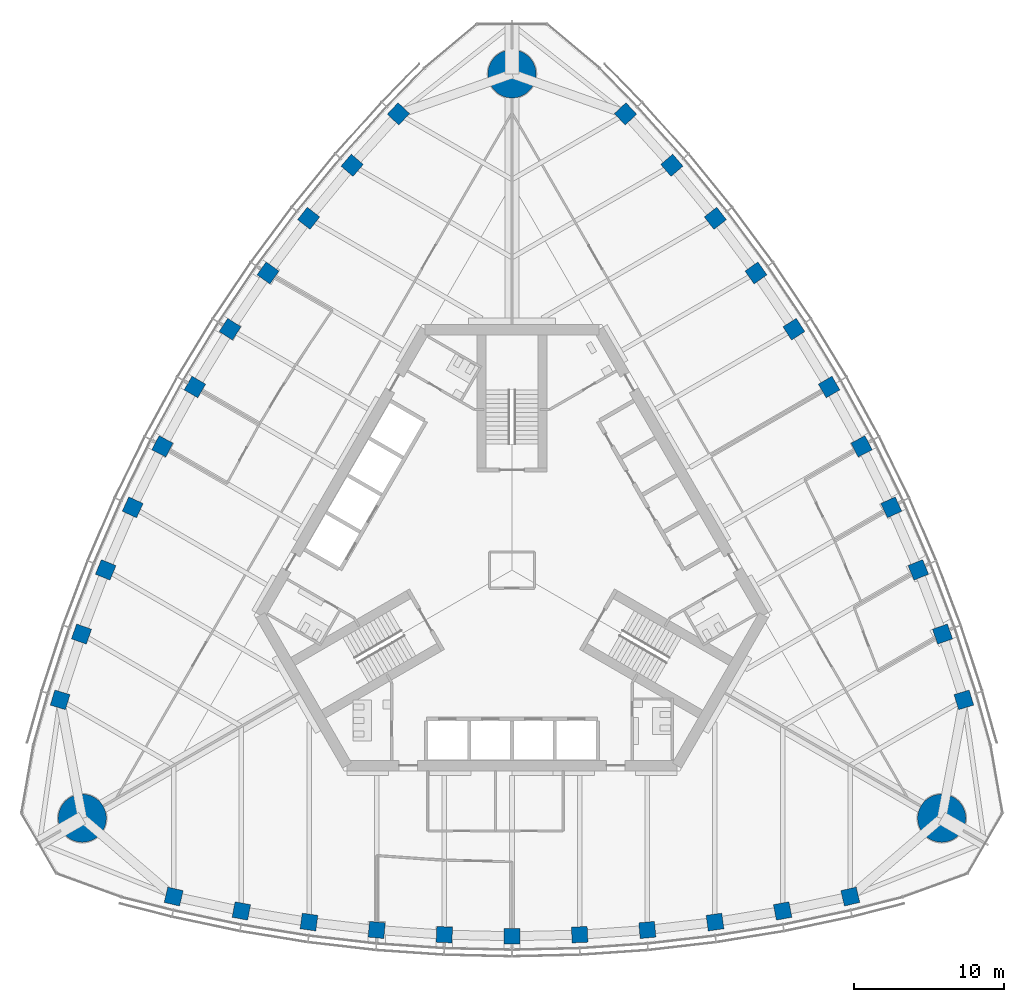
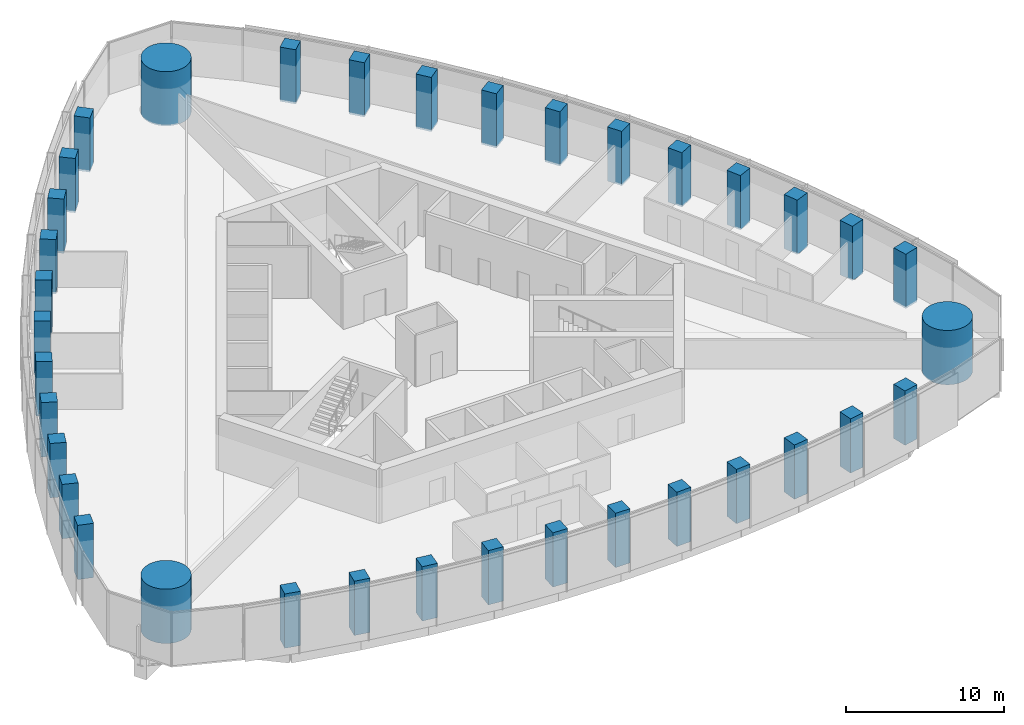
# One storey, part 1 of 19: 36 columns.
"""IFC4 building model written with IfcOpenShell, lengths in metres."""

from ifc_helpers import new_model, si_unit, direction, frame, origin, origin_2d, place, context, subcontext, project, spatial, rectangle, circle, extrude, material, material_profile, profile_set, type_object, element, save


model = new_model("IFC4")

# Units and contexts
model_context = context("Model", 3, precision=1e-05, world=origin(), true_north=direction((0.0, 1.0)))
body_context = subcontext(model_context, "Body", "Model", "MODEL_VIEW")
ifc_project = project(units=[si_unit("LENGTHUNIT", "METRE"), si_unit("AREAUNIT", "SQUARE_METRE"), si_unit("VOLUMEUNIT", "CUBIC_METRE"), si_unit("PLANEANGLEUNIT", "RADIAN"), si_unit("MASSUNIT", "GRAM", prefix="KILO")], contexts=[model_context])

# Site, building, storey
site_placement = place(None, origin())
site = spatial("IfcSite", under=ifc_project, at=site_placement, CompositionType="ELEMENT")
building_placement = place(site_placement, origin())
building = spatial("IfcBuilding", under=site, at=building_placement, Name="Trefoil Bronze Tower", CompositionType="ELEMENT")
storey_placement = place(building_placement, frame((0.0, 0.0, 240.10009765625)))
storey = spatial("IfcBuildingStorey", under=building, at=storey_placement, Name="L55", CompositionType="ELEMENT", Elevation=240.10009765625)

# Columns
ifc_material_1 = material(Name="Concrete B80", Category="concrete")
ifc_material_profile_1 = material_profile(ifc_material_1, circle(Radius=1.60009765625, at=origin_2d()), Name="RC D3200")
ifc_profile_set_1 = profile_set([ifc_material_profile_1], Name="Concrete B80")
column_type_1 = type_object("IfcColumnType", Name="Mega column RC D3200", PredefinedType="COLUMN", material=ifc_profile_set_1)
for number, where, z_axis, x_axis, name in (
    (1, (28.578857421875, -16.5, 0.0), (0.0, 0.0, 1.0), (1.0, 0.0, 0.0), "Mega column K1 L55"),
    (2, (0.0, 33.0, 0.0), (0.0, 0.0, 1.0), (1.0, 0.0, 0.0), "Mega column K2 L55"),
    (3, (-28.578857421875, -16.5, 0.0), (0.0, 0.0, 1.0), (1.0, 0.0, 0.0), "Mega column K3 L55"),
):
    element("IfcColumn", number, at=place(storey_placement, frame(where, z_axis=z_axis, x_axis=x_axis)), inside=storey, type_object=column_type_1, Name=name, PredefinedType="COLUMN", context=body_context, shape_type="SweptSolid", body=[
        extrude(circle(Radius=1.60009765625, at=origin_2d()), origin(), (0.0, 0.0, 1.0), 4.199951171875),
    ])
ifc_material_2 = material(Name="Concrete B80", Category="concrete")
ifc_material_profile_2 = material_profile(ifc_material_2, rectangle(XDim=1.050048828125, YDim=1.050048828125, at=origin_2d()), Name="RC 1050x1050")
ifc_profile_set_2 = profile_set([ifc_material_profile_2], Name="Concrete B80")
column_type_2 = type_object("IfcColumnType", Name="Tube column RC 1050x1050", PredefinedType="COLUMN", material=ifc_profile_set_2)
for number, where, z_axis, x_axis, name in (
    (4, (-22.5, -21.71044921875, 0.0), (0.0, 0.0, 1.0), (0.973875487093, -0.227082662569, 0.0), "Tube column F1/-5 L55"),
    (5, (-18.0, -22.6689453125, 0.0), (0.0, 0.0, 1.0), (0.982958917767, -0.183825368167, 0.0), "Tube column F1/-4 L55"),
    (6, (-13.5, -23.408447265625, 0.0), (0.0, 0.0, 1.0), (0.990450627582, -0.137867887204, 0.0), "Tube column F1/-3 L55"),
    (7, (-9.0, -23.932861328125, 0.0), (0.0, 0.0, 1.0), (0.995767189263, -0.091911396394, 0.0), "Tube column F1/-2 L55"),
    (8, (-4.5, -24.246337890625, 0.0), (0.0, 0.0, 1.0), (0.998943485952, -0.045955542372, 0.0), "Tube column F1/-1 L55"),
    (9, (0.0, -24.3505859375, 0.0), (0.0, 0.0, 1.0), (1.0, 0.0, 0.0), "Tube column F1/+0 L55"),
    (10, (4.5, -24.246337890625, 0.0), (0.0, 0.0, 1.0), (0.998943485952, 0.045955542372, 0.0), "Tube column F1/+1 L55"),
    (11, (9.0, -23.932861328125, 0.0), (0.0, 0.0, 1.0), (0.995767189263, 0.091911396394, 0.0), "Tube column F1/+2 L55"),
    (12, (13.5, -23.408447265625, 0.0), (0.0, 0.0, 1.0), (0.990450627582, 0.137867887204, 0.0), "Tube column F1/+3 L55"),
    (13, (18.0, -22.6689453125, 0.0), (0.0, 0.0, 1.0), (0.982958917767, 0.183825368167, 0.0), "Tube column F1/+4 L55"),
    (14, (22.5, -21.71044921875, 0.0), (0.0, 0.0, 1.0), (0.973875487093, 0.227082662569, 0.0), "Tube column F1/+5 L55"),
    (15, (30.052001953125, -8.63037109375, 0.0), (0.0, 0.0, 1.0), (-0.290278389002, 0.95694224323, 0.0), "Tube column F2/-5 L55"),
    (16, (28.632080078125, -4.25390625, 0.0), (0.0, 0.0, 1.0), (-0.332282020191, 0.943180077746, 0.0), "Tube column F2/-4 L55"),
    (17, (27.022216796875, 0.012939453125, 0.0), (0.0, 0.0, 1.0), (-0.375828221106, 0.926689348282, 0.0), "Tube column F2/-3 L55"),
    (18, (25.2265625, 4.17236328125, 0.0), (0.0, 0.0, 1.0), (-0.418285990457, 0.908315380354, 0.0), "Tube column F2/-2 L55"),
    (19, (23.248046875, 8.22607421875, 0.0), (0.0, 0.0, 1.0), (-0.459673075837, 0.888088206965, 0.0), "Tube column F2/-1 L55"),
    (20, (21.08837890625, 12.17529296875, 0.0), (0.0, 0.0, 1.0), (-0.5, 0.866025403784, 0.0), "Tube column F2/+0 L55"),
    (21, (18.748046875, 16.020263671875, 0.0), (0.0, 0.0, 1.0), (-0.539270410114, 0.842132664593, 0.0), "Tube column F2/+1 L55"),
    (22, (16.2265625, 19.7607421875, 0.0), (0.0, 0.0, 1.0), (-0.577481198806, 0.81640398396, 0.0), "Tube column F2/+2 L55"),
    (23, (13.522216796875, 23.3955078125, 0.0), (0.0, 0.0, 1.0), (-0.614622406476, 0.788821461078, 0.0), "Tube column F2/+3 L55"),
    (24, (10.632080078125, 26.923095703125, 0.0), (0.0, 0.0, 1.0), (-0.650676897576, 0.75935470958, 0.0), "Tube column F2/+4 L55"),
    (25, (7.552001953125, 30.3408203125, 0.0), (0.0, 0.0, 1.0), (-0.683597098091, 0.729859580661, 0.0), "Tube column F2/+5 L55"),
    (26, (-7.552001953125, 30.3408203125, 0.0), (0.0, 0.0, 1.0), (-0.683597098091, -0.729859580661, 0.0), "Tube column F3/-5 L55"),
    (27, (-10.632080078125, 26.923095703125, 0.0), (0.0, 0.0, 1.0), (-0.650676897576, -0.75935470958, 0.0), "Tube column F3/-4 L55"),
    (28, (-13.522216796875, 23.3955078125, 0.0), (0.0, 0.0, 1.0), (-0.614622406476, -0.788821461078, 0.0), "Tube column F3/-3 L55"),
    (29, (-16.2265625, 19.7607421875, 0.0), (0.0, 0.0, 1.0), (-0.577481198806, -0.81640398396, 0.0), "Tube column F3/-2 L55"),
    (30, (-18.748046875, 16.020263671875, 0.0), (0.0, 0.0, 1.0), (-0.539270410114, -0.842132664593, 0.0), "Tube column F3/-1 L55"),
    (31, (-21.08837890625, 12.17529296875, 0.0), (0.0, 0.0, 1.0), (-0.5, -0.866025403784, 0.0), "Tube column F3/+0 L55"),
    (32, (-23.248046875, 8.22607421875, 0.0), (0.0, 0.0, 1.0), (-0.459673075837, -0.888088206965, 0.0), "Tube column F3/+1 L55"),
    (33, (-25.2265625, 4.17236328125, 0.0), (0.0, 0.0, 1.0), (-0.418285990457, -0.908315380354, 0.0), "Tube column F3/+2 L55"),
    (34, (-27.022216796875, 0.012939453125, 0.0), (0.0, 0.0, 1.0), (-0.375828221106, -0.926689348282, 0.0), "Tube column F3/+3 L55"),
    (35, (-28.632080078125, -4.25390625, 0.0), (0.0, 0.0, 1.0), (-0.332282020191, -0.943180077746, 0.0), "Tube column F3/+4 L55"),
    (36, (-30.052001953125, -8.63037109375, 0.0), (0.0, 0.0, 1.0), (-0.290278389002, -0.95694224323, 0.0), "Tube column F3/+5 L55"),
):
    element("IfcColumn", number, at=place(storey_placement, frame(where, z_axis=z_axis, x_axis=x_axis)), inside=storey, type_object=column_type_2, Name=name, PredefinedType="COLUMN", context=body_context, shape_type="SweptSolid", body=[
        extrude(rectangle(XDim=1.050048828125, YDim=1.050048828125, at=origin_2d()), origin(), (0.0, 0.0, 1.0), 4.199951171875),
    ])

save(model, "model.ifc")
